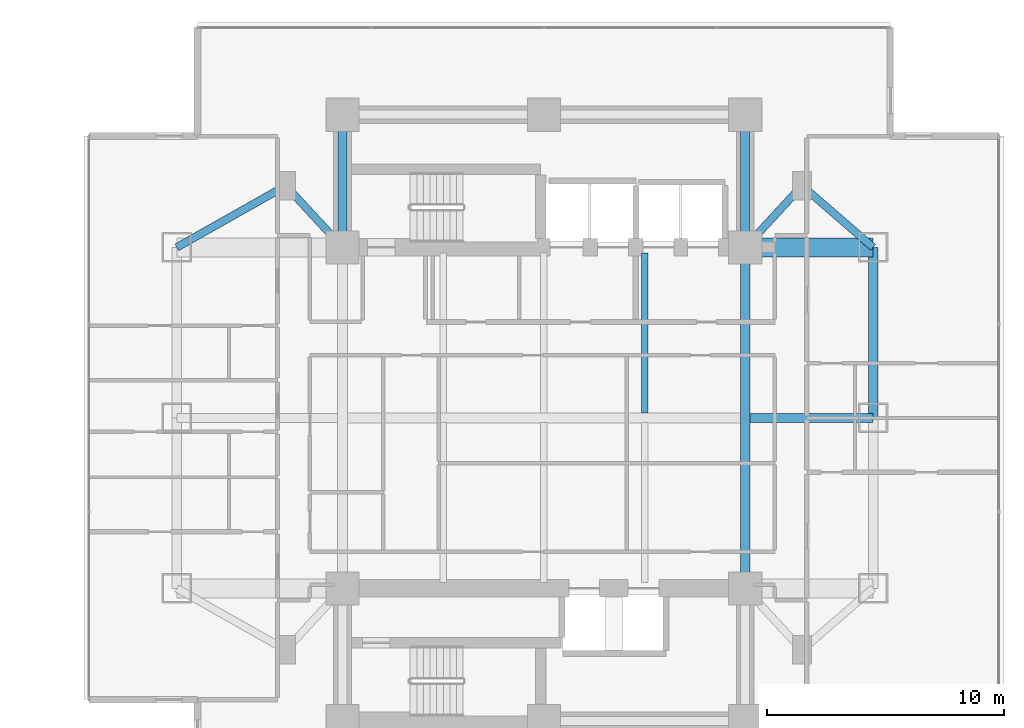
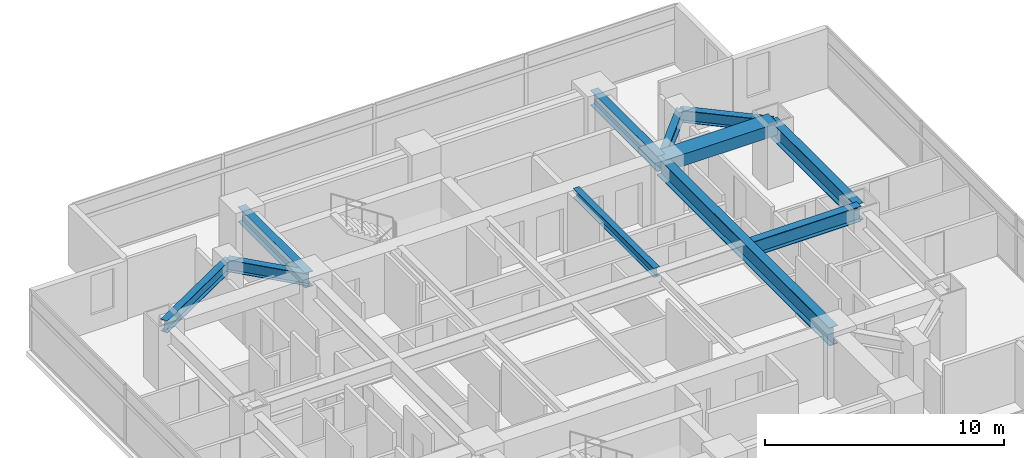
# One storey, part 10 of 27: 11 beams.
"""IFC4 building model written with IfcOpenShell, lengths in metres."""

import ifcopenshell
import ifcopenshell.guid

model = None  # the IFC model being written
_history = None  # IfcOwnerHistory: only IFC2X3 demands one
_inside = {}  # id of a spatial element -> (the spatial element, [elements in it])
_under = {}  # id of a project, library or spatial element -> (it, [spatial elements below it])
_declared = {}  # id of a project -> (the project, [libraries it declares])
_typed = {}  # id of a type object -> (the type object, [elements of that type])
_made_of = {}  # id of a material, layer set ... -> (it, [elements and type objects made of it])


def new_model(schema):
    """Start an empty IFC model of exactly this schema.

    Asked for "IFC4X3", IfcOpenShell would pick the latest addendum, in which some entities
    have other attributes; the version numbers below select the first issue.
    IFC2X3 requires an IfcOwnerHistory on every rooted entity: one is made here for all.
    """
    global model, _history
    if schema == "IFC4X3":
        model = ifcopenshell.file(schema_version=(4, 3, 0, 0))
    else:
        model = ifcopenshell.file(schema=schema)
    _inside.clear()
    _under.clear()
    _declared.clear()
    _typed.clear()
    _made_of.clear()
    _history = None
    if model.schema == "IFC2X3":
        org = make("IfcOrganization", Name="unknown")
        user = make(
            "IfcPersonAndOrganization",
            ThePerson=make("IfcPerson", FamilyName="unknown"),
            TheOrganization=org,
        )
        app = make(
            "IfcApplication",
            ApplicationDeveloper=org,
            Version="unknown",
            ApplicationFullName="unknown",
            ApplicationIdentifier="unknown",
        )
        _history = make(
            "IfcOwnerHistory",
            OwningUser=user,
            OwningApplication=app,
            ChangeAction="ADDED",
            CreationDate=0,
        )
    return model


def make(cls, **values):
    """One entity of the class cls with the attributes given. An attribute that is None is left unset."""
    return model.create_entity(
        cls, **{name: value for name, value in values.items() if value is not None}
    )


def rooted(cls, **values):
    """An entity with a GlobalId (a new one), such as an element, a storey or a relation."""
    return make(cls, GlobalId=ifcopenshell.guid.new(), OwnerHistory=_history, **values)


def si_unit(unit_type, name, prefix=None):
    """IfcSIUnit, for example si_unit("LENGTHUNIT", "METRE", prefix="MILLI")."""
    return make("IfcSIUnit", UnitType=unit_type, Prefix=prefix, Name=name)


def assignment(units):
    """IfcUnitAssignment: the units of a project."""
    return None if units is None else make("IfcUnitAssignment", Units=units)


def point(xyz):
    """IfcCartesianPoint."""
    return None if xyz is None else make("IfcCartesianPoint", Coordinates=xyz)


def direction(xyz):
    """IfcDirection."""
    return None if xyz is None else make("IfcDirection", DirectionRatios=xyz)


def frame(location, z_axis=None, x_axis=None):
    """IfcAxis2Placement3D, a coordinate frame: its origin and axes. An axis left out is left unset."""
    return make(
        "IfcAxis2Placement3D",
        Location=point(location),
        Axis=direction(z_axis),
        RefDirection=direction(x_axis),
    )


def frame_2d(location, x_axis=None):
    """IfcAxis2Placement2D, a coordinate frame in the plane: its origin and x axis."""
    return make(
        "IfcAxis2Placement2D", Location=point(location), RefDirection=direction(x_axis)
    )


def origin():
    """The frame at (0, 0, 0) with its axes left unset."""
    return frame((0.0, 0.0, 0.0))


def origin_2d():
    """The frame at (0, 0) in the plane with its x axis left unset."""
    return frame_2d((0.0, 0.0))


def place(relative_to, where):
    """IfcLocalPlacement: puts the frame where relative to a parent placement (None: the world)."""
    return make(
        "IfcLocalPlacement", PlacementRelTo=relative_to, RelativePlacement=where
    )


def context(
    kind, dimensions, precision=None, world=None, true_north=None, identifier=None
):
    """IfcGeometricRepresentationContext, for example the 3D "Model" context."""
    return make(
        "IfcGeometricRepresentationContext",
        ContextIdentifier=identifier,
        ContextType=kind,
        CoordinateSpaceDimension=dimensions,
        Precision=precision,
        WorldCoordinateSystem=world,
        TrueNorth=true_north,
    )


def subcontext(parent, identifier, kind, view, scale=None):
    """IfcGeometricRepresentationSubContext, for example "Body" below "Model"."""
    return make(
        "IfcGeometricRepresentationSubContext",
        ContextIdentifier=identifier,
        ContextType=kind,
        ParentContext=parent,
        TargetScale=scale,
        TargetView=view,
    )


def project(units=None, contexts=None):
    """IfcProject with its units and contexts."""
    return rooted(
        "IfcProject",
        Name="project",
        RepresentationContexts=contexts,
        UnitsInContext=assignment(units),
    )


def spatial(cls, under=None, at=None, **own):
    """A site, building, storey or space (cls), placed at a placement, below another one or the project."""
    s = rooted(cls, ObjectPlacement=at, **own)
    if under is not None:
        _under.setdefault(under.id(), (under, []))[1].append(s)
    return s


def profile(cls, at=None, kind="AREA", **sizes):
    """A parametric profile (cls). Its sizes go by their IFC names, for example OverallWidth=200.0."""
    return make(cls, ProfileType=kind, Position=at, **sizes)


def rectangle(**sizes):
    """IfcRectangleProfileDef."""
    return profile("IfcRectangleProfileDef", **sizes)


def i_section(**sizes):
    """IfcIShapeProfileDef."""
    return profile("IfcIShapeProfileDef", **sizes)


def extrude(swept, where, along, depth):
    """IfcExtrudedAreaSolid: the profile swept, set in the frame where, extruded along a direction by depth."""
    return make(
        "IfcExtrudedAreaSolid",
        SweptArea=swept,
        Position=where,
        ExtrudedDirection=direction(along),
        Depth=depth,
    )


def shape(context_of_items, identifier, shape_type, items):
    """IfcShapeRepresentation: the items that make up one representation, for example the "Body"."""
    return make(
        "IfcShapeRepresentation",
        ContextOfItems=context_of_items,
        RepresentationIdentifier=identifier,
        RepresentationType=shape_type,
        Items=items,
    )


def material(Name=None, Category=None):
    """IfcMaterial."""
    return make("IfcMaterial", Name=Name, Category=Category)


def material_profile(
    of_material, cross_section, Name=None, Category=None, Priority=None
):
    """IfcMaterialProfile: a cross section and its material."""
    return make(
        "IfcMaterialProfile",
        Name=Name,
        Material=of_material,
        Profile=cross_section,
        Priority=Priority,
        Category=Category,
    )


def profile_set(profiles, Name=None, composite=None):
    """IfcMaterialProfileSet."""
    return make(
        "IfcMaterialProfileSet",
        Name=Name,
        MaterialProfiles=profiles,
        CompositeProfile=composite,
    )


def made_of(thing, what):
    """Note that an element or type object is made of a material, layer set ...; save() writes the relation."""
    if what is not None:
        _made_of.setdefault(what.id(), (what, []))[1].append(thing)
    return thing


def type_object(cls, material=None, **own):
    """A type object (cls), such as IfcWallType, which elements share."""
    return made_of(rooted(cls, **own), material)


def element(
    cls,
    number,
    at=None,
    inside=None,
    cuts=None,
    type_object=None,
    material=None,
    context=None,
    identifier="Body",
    shape_type=None,
    held_by="IfcProductDefinitionShape",
    body=None,
    shapes=None,
    **own,
):
    """One element of the class cls, such as IfcWall. Its Tag is "e" and its number.

    at: its placement. inside: the storey or other place that contains it. cuts: it is an
    opening in that element (IfcRelVoidsElement). A single representation is given by context,
    identifier, shape_type and body (its items); several are given by shapes. held_by: the class
    of the entity that holds the representations. save() writes the other relations.
    """
    e = rooted(cls, Tag="e%d" % number, ObjectPlacement=at, **own)
    if body is not None:
        shapes = [shape(context, identifier, shape_type, body)]
    if shapes is not None:
        e.Representation = make(held_by, Representations=shapes)
    if inside is not None:
        _inside.setdefault(inside.id(), (inside, []))[1].append(e)
    if cuts is not None:
        rooted(
            "IfcRelVoidsElement", RelatingBuildingElement=cuts, RelatedOpeningElement=e
        )
    if type_object is not None:
        _typed.setdefault(type_object.id(), (type_object, []))[1].append(e)
    return made_of(e, material)


def aggregate(whole, parts):
    """IfcRelAggregates: a whole, such as a stair, and the parts it consists of."""
    return rooted("IfcRelAggregates", RelatingObject=whole, RelatedObjects=parts)


def save(model, path):
    """Write the relations noted so far, then the file.

    IfcRelAggregates (storeys below a building ...), IfcRelContainedInSpatialStructure (elements
    in a storey), IfcRelDefinesByType, IfcRelAssociatesMaterial and IfcRelDeclares: one each for
    every whole, place, type object, material and project.
    """
    for whole, parts in _under.values():
        aggregate(whole, parts)
    for where, things in _inside.values():
        rooted(
            "IfcRelContainedInSpatialStructure",
            RelatedElements=things,
            RelatingStructure=where,
        )
    for kind, things in _typed.values():
        rooted("IfcRelDefinesByType", RelatedObjects=things, RelatingType=kind)
    for what, things in _made_of.values():
        rooted("IfcRelAssociatesMaterial", RelatedObjects=things, RelatingMaterial=what)
    for by, libraries in _declared.values():
        rooted("IfcRelDeclares", RelatingContext=by, RelatedDefinitions=libraries)
    model.write(path)


model = new_model("IFC4")

# Units and contexts
model_context = context("Model", 3, precision=1e-05, world=origin(), true_north=direction((0.0, 1.0)))
body_context = subcontext(model_context, "Body", "Model", "MODEL_VIEW")
ifc_project = project(units=[si_unit("LENGTHUNIT", "METRE"), si_unit("AREAUNIT", "SQUARE_METRE"), si_unit("VOLUMEUNIT", "CUBIC_METRE"), si_unit("PLANEANGLEUNIT", "RADIAN"), si_unit("MASSUNIT", "GRAM", prefix="KILO")], contexts=[model_context])

# Site, building, storey
site_placement = place(None, origin())
site = spatial("IfcSite", under=ifc_project, at=site_placement, CompositionType="ELEMENT")
building_placement = place(site_placement, origin())
building = spatial("IfcBuilding", under=site, at=building_placement, Name="Mirazonda Arch Towers", CompositionType="ELEMENT")
storey_placement = place(building_placement, frame((0.0, 0.0, 42.199951171875)))
storey = spatial("IfcBuildingStorey", under=building, at=storey_placement, Name="L11", CompositionType="ELEMENT", Elevation=42.199951171875)

# Beams
ifc_material_1 = material(Name="Steel ASTM A992 Grade 50", Category="steel")
ifc_material_profile_1 = material_profile(ifc_material_1, i_section(OverallWidth=0.39990234375, OverallDepth=0.85595703125, WebThickness=0.018310546875, FlangeThickness=0.029296875, at=origin_2d()), Name="W33X201")
ifc_profile_set_1 = profile_set([ifc_material_profile_1], Name="Steel ASTM A992 Grade 50")
beam_type_1 = type_object("IfcBeamType", Name="BM-EXT-W33X201", PredefinedType="USERDEFINED", material=ifc_profile_set_1)
beam_1_placement = place(storey_placement, frame((90.39990234375, 28.0, 2.632080078125), z_axis=(0.0, 1.0, 0.0), x_axis=(-1.0, 0.0, 0.0)))
element("IfcBeam", 1, at=beam_1_placement, inside=storey, type_object=beam_type_1, Name="L11 Floor Beam BM-T2-L11-NS-E-28", ObjectType="GIRDER", PredefinedType="USERDEFINED", context=body_context, shape_type="SweptSolid", body=[
    extrude(i_section(OverallWidth=0.39990234375, OverallDepth=0.85595703125, WebThickness=0.018310546875, FlangeThickness=0.029296875, at=origin_2d()), origin(), (0.0, 0.0, 1.0), 7.199951171875),
])
ifc_material_profile_2 = material_profile(ifc_material_1, i_section(OverallWidth=0.280029296875, OverallDepth=0.462890625, WebThickness=0.0107421875, FlangeThickness=0.017333984375, at=origin_2d()), Name="W18X76")
ifc_profile_set_2 = profile_set([ifc_material_profile_2], Name="Steel ASTM A992 Grade 50")
beam_type_2 = type_object("IfcBeamType", Name="BM-INT-W18X76", PredefinedType="JOIST", material=ifc_profile_set_2)
beam_2_placement = place(storey_placement, frame((80.75, 28.205078125, 2.82861328125), z_axis=(0.0, 1.0, 0.0), x_axis=(-1.0, 0.0, 0.0)))
element("IfcBeam", 2, at=beam_2_placement, inside=storey, type_object=beam_type_2, Name="L11 Floor Beam BM-T2-L11-J-807-28", PredefinedType="JOIST", context=body_context, shape_type="SweptSolid", body=[
    extrude(i_section(OverallWidth=0.280029296875, OverallDepth=0.462890625, WebThickness=0.0107421875, FlangeThickness=0.017333984375, at=origin_2d()), origin(), (0.0, 0.0, 1.0), 6.7548828125),
])
ifc_material_profile_3 = material_profile(ifc_material_1, i_section(OverallWidth=0.324951171875, OverallDepth=0.615966796875, WebThickness=0.013916015625, FlangeThickness=0.021484375, at=origin_2d()), Name="W24X117")
ifc_profile_set_3 = profile_set([ifc_material_profile_3], Name="Steel ASTM A992 Grade 50")
beam_type_3 = type_object("IfcBeamType", Name="BM-INT-W24X117", PredefinedType="BEAM", material=ifc_profile_set_3)
beam_3_placement = place(storey_placement, frame((65.60009765625, 37.800048828125, 2.751953125), z_axis=(0.678251444854, -0.734829897019, 0.0), x_axis=(0.734829897019, 0.678251444854, 0.0)))
element("IfcBeam", 3, at=beam_3_placement, inside=storey, type_object=beam_type_3, Name="L11 Floor Beam BM-T2-L11-PL-NW1", PredefinedType="BEAM", context=body_context, shape_type="SweptSolid", body=[
    extrude(i_section(OverallWidth=0.324951171875, OverallDepth=0.615966796875, WebThickness=0.013916015625, FlangeThickness=0.021484375, at=origin_2d()), origin(), (0.0, 0.0, 1.0), 3.538330078125),
])
beam_4_placement = place(storey_placement, frame((65.60009765625, 37.800048828125, 2.751953125), z_axis=(-0.870559396632, -0.492063346467, 0.0), x_axis=(0.492063346467, -0.870559396632, 0.0)))
element("IfcBeam", 4, at=beam_4_placement, inside=storey, type_object=beam_type_3, Name="L11 Floor Beam BM-T2-L11-PL-NW2", PredefinedType="BEAM", context=body_context, shape_type="SweptSolid", body=[
    extrude(i_section(OverallWidth=0.324951171875, OverallDepth=0.615966796875, WebThickness=0.013916015625, FlangeThickness=0.021484375, at=origin_2d()), origin(), (0.0, 0.0, 1.0), 5.2841796875),
])
beam_5_placement = place(storey_placement, frame((87.39990234375, 37.800048828125, 2.751953125), z_axis=(-0.678251444854, -0.734829897019, 0.0), x_axis=(0.734829897019, -0.678251444854, 0.0)))
element("IfcBeam", 5, at=beam_5_placement, inside=storey, type_object=beam_type_3, Name="L11 Floor Beam BM-T2-L11-PL-NE1", PredefinedType="BEAM", context=body_context, shape_type="SweptSolid", body=[
    extrude(i_section(OverallWidth=0.324951171875, OverallDepth=0.615966796875, WebThickness=0.013916015625, FlangeThickness=0.021484375, at=origin_2d()), origin(), (0.0, 0.0, 1.0), 3.538330078125),
])
beam_6_placement = place(storey_placement, frame((87.39990234375, 37.800048828125, 2.751953125), z_axis=(0.755676908098, -0.654944585876, 0.0), x_axis=(0.654944585876, 0.755676908098, 0.0)))
element("IfcBeam", 6, at=beam_6_placement, inside=storey, type_object=beam_type_3, Name="L11 Floor Beam BM-T2-L11-PL-NE2", PredefinedType="BEAM", context=body_context, shape_type="SweptSolid", body=[
    extrude(i_section(OverallWidth=0.324951171875, OverallDepth=0.615966796875, WebThickness=0.013916015625, FlangeThickness=0.021484375, at=origin_2d()), origin(), (0.0, 0.0, 1.0), 3.969970703125),
])
ifc_material_profile_4 = material_profile(ifc_material_1, i_section(OverallWidth=0.381103515625, OverallDepth=0.77294921875, WebThickness=0.0166015625, FlangeThickness=0.027099609375, at=origin_2d()), Name="W30X173")
ifc_profile_set_4 = profile_set([ifc_material_profile_4], Name="Steel ASTM A992 Grade 50")
beam_type_4 = type_object("IfcBeamType", Name="BM-INT-W30X173", PredefinedType="USERDEFINED", material=ifc_profile_set_4)
for number, where, z_axis, x_axis, name in (
    (7, (68.0, 35.199951171875, 2.673583984375), (0.0, 1.0, 0.0), (-1.0, 0.0, 0.0), "L11 Floor Beam BM-T2-L11-CNW"),
    (8, (85.0, 35.199951171875, 2.673583984375), (0.0, 1.0, 0.0), (-1.0, 0.0, 0.0), "L11 Floor Beam BM-T2-L11-CNE"),
):
    element("IfcBeam", number, at=place(storey_placement, frame(where, z_axis=z_axis, x_axis=x_axis)), inside=storey, type_object=beam_type_4, Name=name, ObjectType="GIRDER", PredefinedType="USERDEFINED", context=body_context, shape_type="SweptSolid", body=[
        extrude(i_section(OverallWidth=0.381103515625, OverallDepth=0.77294921875, WebThickness=0.0166015625, FlangeThickness=0.027099609375, at=origin_2d()), origin(), (0.0, 0.0, 1.0), 5.60009765625),
    ])
beam_7_placement = place(storey_placement, frame((85.208984375, 28.0, 2.673583984375), z_axis=(1.0, 0.0, 0.0), x_axis=(0.0, 1.0, 0.0)))
element("IfcBeam", 9, at=beam_7_placement, inside=storey, type_object=beam_type_4, Name="L11 Floor Beam BM-T2-L11-GE2", ObjectType="GIRDER", PredefinedType="USERDEFINED", context=body_context, shape_type="SweptSolid", body=[
    extrude(i_section(OverallWidth=0.381103515625, OverallDepth=0.77294921875, WebThickness=0.0166015625, FlangeThickness=0.027099609375, at=origin_2d()), origin(), (0.0, 0.0, 1.0), 5.19091796875),
])
ifc_material_profile_5 = material_profile(ifc_material_1, i_section(OverallWidth=0.41796875, OverallDepth=0.927001953125, WebThickness=0.019287109375, FlangeThickness=0.031982421875, at=origin_2d()), Name="W36X231")
ifc_profile_set_5 = profile_set([ifc_material_profile_5], Name="Steel ASTM A992 Grade 50")
beam_type_5 = type_object("IfcBeamType", Name="BM-INT-W36X231", PredefinedType="USERDEFINED", material=ifc_profile_set_5)
beam_8_placement = place(storey_placement, frame((85.0, 20.800048828125, 2.596435546875), z_axis=(0.0, 1.0, 0.0), x_axis=(-1.0, 0.0, 0.0)))
element("IfcBeam", 10, at=beam_8_placement, inside=storey, type_object=beam_type_5, Name="L11 Floor Beam BM-T2-L11-NS-CE-FULL", ObjectType="GIRDER", PredefinedType="USERDEFINED", context=body_context, shape_type="SweptSolid", body=[
    extrude(i_section(OverallWidth=0.41796875, OverallDepth=0.927001953125, WebThickness=0.019287109375, FlangeThickness=0.031982421875, at=origin_2d()), origin(), (0.0, 0.0, 1.0), 14.39990234375),
])
ifc_material_2 = material(Name="Concrete C60/75", Category="concrete")
ifc_material_profile_6 = material_profile(ifc_material_2, rectangle(XDim=0.800048828125, YDim=0.60009765625, at=origin_2d()), Name="RCCB800x600")
ifc_profile_set_6 = profile_set([ifc_material_profile_6], Name="Concrete C60/75")
beam_type_6 = type_object("IfcBeamType", Name="CB-INT-RCCB800x600", PredefinedType="SPANDREL", material=ifc_profile_set_6)
beam_9_placement = place(storey_placement, frame((85.0, 35.199951171875, 2.760009765625), z_axis=(1.0, 0.0, 0.0), x_axis=(0.0, 1.0, 0.0)))
element("IfcBeam", 11, at=beam_9_placement, inside=storey, type_object=beam_type_6, Name="L11 Floor Beam CBC-T2-L11-NE", PredefinedType="SPANDREL", context=body_context, shape_type="SweptSolid", body=[
    extrude(rectangle(XDim=0.800048828125, YDim=0.60009765625, at=origin_2d()), origin(), (0.0, 0.0, 1.0), 5.39990234375),
])

save(model, "model.ifc")
